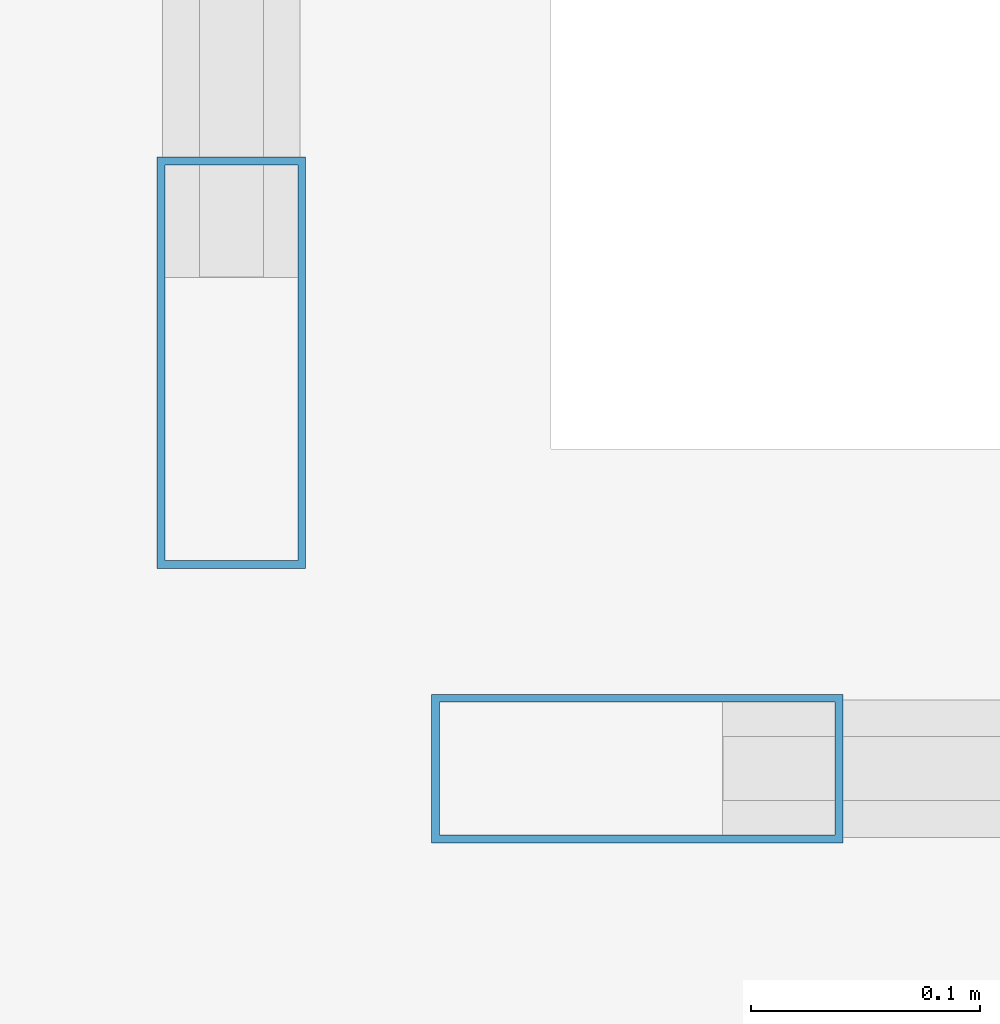
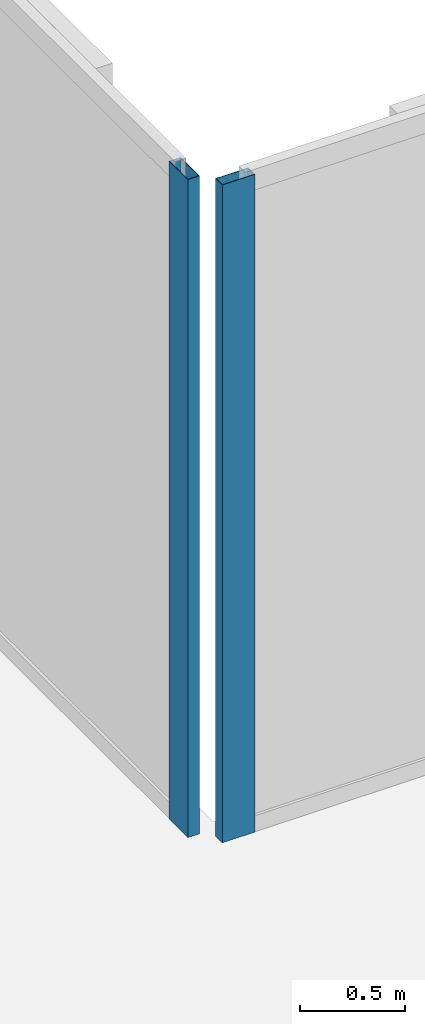
# One storey, part 19 of 29: 2 members, 2 elements without a shape of their own.
"""IFC4 building model written with IfcOpenShell, lengths in metres."""

from ifc_helpers import new_model, si_unit, direction, frame, origin, origin_2d, place, context, subcontext, project, spatial, hollow_rectangle, extrude, material, layer, layer_set, material_profile, profile_set, type_object, element, aggregate, save


model = new_model("IFC4")

# Units and contexts
model_context = context("Model", 3, precision=1e-05, world=origin(), true_north=direction((0.0, 1.0)))
body_context = subcontext(model_context, "Body", "Model", "MODEL_VIEW")
ifc_project = project(units=[si_unit("LENGTHUNIT", "METRE"), si_unit("AREAUNIT", "SQUARE_METRE"), si_unit("VOLUMEUNIT", "CUBIC_METRE"), si_unit("PLANEANGLEUNIT", "RADIAN"), si_unit("MASSUNIT", "GRAM", prefix="KILO")], contexts=[model_context])

# Site, building, storey
site_placement = place(None, origin())
site = spatial("IfcSite", under=ifc_project, at=site_placement, CompositionType="ELEMENT")
building_placement = place(site_placement, origin())
building = spatial("IfcBuilding", under=site, at=building_placement, Name="Nerrivon Quay Data Exchange", CompositionType="ELEMENT")
storey_placement = place(building_placement, frame((0.0, 0.0, 187.800048828125)))
storey = spatial("IfcBuildingStorey", under=building, at=storey_placement, Name="L44", CompositionType="ELEMENT", Elevation=187.800048828125)

# Curtain wall, member
ifc_material = material(Name="Anodised aluminium 6063-T6", Category="aluminium")
ifc_layer = layer(ifc_material, 0.195068359375)
ifc_layer_set = layer_set([ifc_layer], Name="Anodised aluminium 6063-T6")
curtain_wall_type = type_object("IfcCurtainWallType", Name="CW-SYS-06", PredefinedType="NOTDEFINED", material=ifc_layer_set)
curtain_wall_1_placement = place(storey_placement, origin())
curtain_wall_1 = element("IfcCurtainWall", 1, at=curtain_wall_1_placement, inside=storey, type_object=curtain_wall_type, Name="L44 Unitised Curtain Wall 11", PredefinedType="NOTDEFINED")
ifc_material_profile = material_profile(ifc_material, hollow_rectangle(XDim=0.06494140625, YDim=0.179931640625, WallThickness=0.00341796875, at=origin_2d()), Name="ALU-MULL-180x65")
ifc_profile_set = profile_set([ifc_material_profile], Name="Anodised aluminium 6063-T6")
member_type = type_object("IfcMemberType", Name="CWM-180x65", PredefinedType="MULLION", material=ifc_profile_set)
member_1_placement = place(storey_placement, frame((20.860107421875, 46.237548828125, 0.0), z_axis=(0.0, 0.0, 1.0), x_axis=(1.0, 0.0, 0.0)))
member_1 = element("IfcMember", 2, at=member_1_placement, type_object=member_type, Name="CW06 mullion 2", PredefinedType="MULLION", context=body_context, shape_type="SweptSolid", body=[
    extrude(hollow_rectangle(XDim=0.06494140625, YDim=0.179931640625, WallThickness=0.00341796875, at=origin_2d()), origin(), (0.0, 0.0, 1.0), 3.824951171875),
])
aggregate(curtain_wall_1, [member_1])

curtain_wall_2_placement = place(storey_placement, origin())
curtain_wall_2 = element("IfcCurtainWall", 3, at=curtain_wall_2_placement, inside=storey, type_object=curtain_wall_type, Name="L44 Unitised Curtain Wall 12", PredefinedType="NOTDEFINED")
member_2_placement = place(storey_placement, frame((21.03759765625, 46.06005859375, 0.0), z_axis=(0.0, 0.0, 1.0), x_axis=(0.0, 1.0, 0.0)))
member_2 = element("IfcMember", 4, at=member_2_placement, type_object=member_type, Name="CW06 mullion 1", PredefinedType="MULLION", context=body_context, shape_type="SweptSolid", body=[
    extrude(hollow_rectangle(XDim=0.06494140625, YDim=0.179931640625, WallThickness=0.00341796875, at=origin_2d()), origin(), (0.0, 0.0, 1.0), 3.824951171875),
])
aggregate(curtain_wall_2, [member_2])

save(model, "model.ifc")
